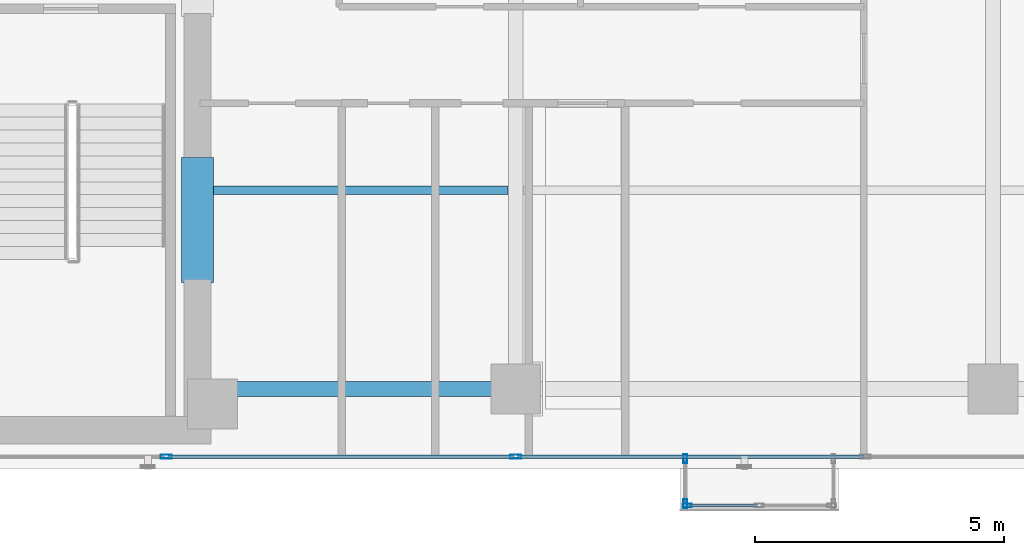
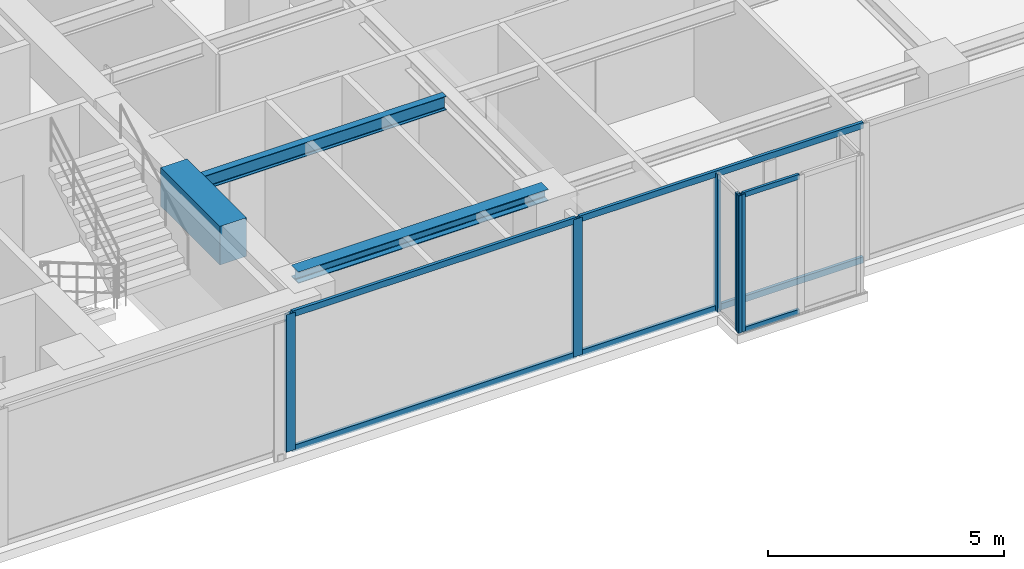
# One storey, part 4 of 25: 11 members, 3 beams, 3 elements without a shape of their own.
"""IFC4 building model written with IfcOpenShell, lengths in metres."""

from ifc_helpers import new_model, si_unit, direction, frame, origin, origin_with_axes, origin_2d, place, context, subcontext, project, spatial, rectangle, hollow_rectangle, i_section, extrude, source, transform, mapped, material, layer, layer_set, material_profile, profile_set, type_object, element, aggregate, save


model = new_model("IFC4")

# Units and contexts
model_context = context("Model", 3, precision=1e-05, world=origin(), true_north=direction((0.0, 1.0)))
body_context = subcontext(model_context, "Body", "Model", "MODEL_VIEW")
ifc_project = project(units=[si_unit("LENGTHUNIT", "METRE"), si_unit("AREAUNIT", "SQUARE_METRE"), si_unit("VOLUMEUNIT", "CUBIC_METRE"), si_unit("PLANEANGLEUNIT", "RADIAN"), si_unit("MASSUNIT", "GRAM", prefix="KILO")], contexts=[model_context])

# Site, building, storey
site_placement = place(None, origin())
site = spatial("IfcSite", under=ifc_project, at=site_placement, CompositionType="ELEMENT")
building_placement = place(site_placement, origin())
building = spatial("IfcBuilding", under=site, at=building_placement, Name="Kolvaren Waterfront Exchange", CompositionType="ELEMENT")
storey_placement = place(building_placement, frame((0.0, 0.0, 204.5)))
storey = spatial("IfcBuildingStorey", under=building, at=storey_placement, Name="L52", CompositionType="ELEMENT", Elevation=204.5)

# Beams
ifc_material_1 = material(Name="Steel S355", Category="steel")
ifc_material_profile_1 = material_profile(ifc_material_1, i_section(OverallWidth=0.300048828125, OverallDepth=0.300048828125, WebThickness=0.010986328125, FlangeThickness=0.01904296875, FilletRadius=0.027099609375, at=origin_2d()), Name="HEB300")
ifc_profile_set_1 = profile_set([ifc_material_profile_1], Name="Steel S355")
beam_type_1 = type_object("IfcBeamType", Name="STR-BM-HEB300", PredefinedType="SPANDREL", material=ifc_profile_set_1)
beam_1_placement = place(storey_placement, frame((21.074951171875, 5.199951171875, 3.409912109375), z_axis=(1.0, 0.0, 0.0), x_axis=(0.0, 1.0, 0.0)))
element("IfcBeam", 1, at=beam_1_placement, inside=storey, type_object=beam_type_1, Name="L52 east-arm spandrel S1", PredefinedType="SPANDREL", context=body_context, shape_type="SweptSolid", body=[
    extrude(i_section(OverallWidth=0.300048828125, OverallDepth=0.300048828125, WebThickness=0.010986328125, FlangeThickness=0.01904296875, FilletRadius=0.027099609375, at=origin_2d()), origin(), (0.0, 0.0, 1.0), 6.125),
])
ifc_material_profile_2 = material_profile(ifc_material_1, i_section(OverallWidth=0.169921875, OverallDepth=0.360107421875, WebThickness=0.008056640625, FlangeThickness=0.0126953125, FilletRadius=0.01806640625, at=origin_2d()), Name="IPE360")
ifc_profile_set_2 = profile_set([ifc_material_profile_2], Name="Steel S355")
beam_type_2 = type_object("IfcBeamType", Name="STR-BM-IPE360", PredefinedType="JOIST", material=ifc_profile_set_2)
beam_2_placement = place(storey_placement, frame((21.10009765625, 9.199951171875, 3.3798828125), z_axis=(1.0, 0.0, 0.0), x_axis=(0.0, 1.0, 0.0)))
element("IfcBeam", 2, at=beam_2_placement, inside=storey, type_object=beam_type_2, Name="L52 east-arm composite joist 1B", PredefinedType="JOIST", context=body_context, shape_type="SweptSolid", body=[
    extrude(i_section(OverallWidth=0.169921875, OverallDepth=0.360107421875, WebThickness=0.008056640625, FlangeThickness=0.0126953125, FilletRadius=0.01806640625, at=origin_2d()), origin(), (0.0, 0.0, 1.0), 5.947998046875),
])
ifc_material_2 = material(Name="Concrete C60/75", Category="concrete")
ifc_material_profile_3 = material_profile(ifc_material_2, rectangle(XDim=0.64990234375, YDim=1.0, at=origin_2d()), Name="RC-CB-1000x650")
ifc_profile_set_3 = profile_set([ifc_material_profile_3], Name="Concrete C60/75")
beam_type_3 = type_object("IfcBeamType", Name="STR-CB-1000", PredefinedType="SPANDREL", material=ifc_profile_set_3)
beam_3_placement = place(storey_placement, frame((20.800048828125, 7.340087890625, 3.06005859375), z_axis=(0.0, 1.0, 0.0), x_axis=(-1.0, 0.0, 0.0)))
element("IfcBeam", 3, at=beam_3_placement, inside=storey, type_object=beam_type_3, Name="L52 core coupling beam 1", PredefinedType="SPANDREL", context=body_context, shape_type="SweptSolid", body=[
    extrude(rectangle(XDim=0.64990234375, YDim=1.0, at=origin_2d()), origin(), (0.0, 0.0, 1.0), 2.52001953125),
])

# Curtain wall, members
ifc_material_3 = material(Name="Anodised bronze aluminium 6063-T6", Category="aluminium")
ifc_layer_1 = layer(ifc_material_3, 0.219970703125, Name="Anodised bronze aluminium 6063-T6")
ifc_layer_set_1 = layer_set([ifc_layer_1], Name="Anodised bronze aluminium 6063-T6")
curtain_wall_type_1 = type_object("IfcCurtainWallType", Name="ARC-CW-SYS3", PredefinedType="USERDEFINED", material=ifc_layer_set_1)
curtain_wall_1_placement = place(storey_placement, origin())
curtain_wall_1 = element("IfcCurtainWall", 4, at=curtain_wall_1_placement, inside=storey, type_object=curtain_wall_type_1, Name="L52 stick curtain wall CW3 (CW-L52-BOX)", ObjectType="STICK CURTAIN WALL", PredefinedType="USERDEFINED")
ifc_material_profile_4 = material_profile(ifc_material_3, hollow_rectangle(XDim=0.06494140625, YDim=0.1298828125, WallThickness=0.00390625, at=origin_2d()), Name="ALU-TRN-130x65x4")
ifc_profile_set_4 = profile_set([ifc_material_profile_4], Name="Anodised bronze aluminium 6063-T6")
member_type_1 = type_object("IfcMemberType", Name="ARC-CWT-130", PredefinedType="USERDEFINED", material=ifc_profile_set_4)
shared_shape_1 = source(origin_with_axes(), body_context, "Body", "SweptSolid", [
    extrude(hollow_rectangle(XDim=0.06494140625, YDim=0.1298828125, WallThickness=0.00390625, at=origin_2d()), origin(), (0.0, 0.0, 1.0), 1.37744140625),
])
member_1_placement = place(storey_placement, frame((30.68505859375, 2.860107421875, 0.032470703125), z_axis=(1.0, 0.0, 0.0), x_axis=(0.0, 1.0, 0.0)))
member_1 = element("IfcMember", 5, at=member_1_placement, type_object=member_type_1, Name="CW3 transom 1.1", ObjectType="TRANSOM", PredefinedType="USERDEFINED", context=body_context, shape_type="MappedRepresentation", body=[
    mapped(shared_shape_1, transform((0.0, 0.0, 0.0), x_axis=(1.0, 0.0, 0.0), y_axis=(0.0, 1.0, 0.0), z_axis=(0.0, 0.0, 1.0), scale=1.0)),
])
member_2_placement = place(storey_placement, frame((30.68505859375, 2.860107421875, 3.527587890625), z_axis=(1.0, 0.0, 0.0), x_axis=(0.0, 1.0, 0.0)))
member_2 = element("IfcMember", 6, at=member_2_placement, type_object=member_type_1, Name="CW3 transom 1.2", ObjectType="TRANSOM", PredefinedType="USERDEFINED", context=body_context, shape_type="MappedRepresentation", body=[
    mapped(shared_shape_1, transform((0.0, 0.0, 0.0), x_axis=(1.0, 0.0, 0.0), y_axis=(0.0, 1.0, 0.0), z_axis=(0.0, 0.0, 1.0), scale=1.0)),
])

curtain_wall_2_placement = place(storey_placement, origin())
curtain_wall_2 = element("IfcCurtainWall", 7, at=curtain_wall_2_placement, inside=storey, type_object=curtain_wall_type_1, Name="L52 stick curtain wall CW3 (CW-L52-BOX-W)", ObjectType="STICK CURTAIN WALL", PredefinedType="USERDEFINED")
ifc_material_profile_5 = material_profile(ifc_material_3, hollow_rectangle(XDim=0.074951171875, YDim=0.179931640625, WallThickness=0.00439453125, at=origin_2d()), Name="ALU-MUL-180x75x4.5")
ifc_profile_set_5 = profile_set([ifc_material_profile_5], Name="Anodised bronze aluminium 6063-T6")
member_type_2 = type_object("IfcMemberType", Name="ARC-CWM-180", PredefinedType="MULLION", material=ifc_profile_set_5)
shared_shape_2 = source(origin_with_axes(), body_context, "Body", "SweptSolid", [
    extrude(hollow_rectangle(XDim=0.074951171875, YDim=0.179931640625, WallThickness=0.00439453125, at=origin_2d()), origin(), (0.0, 0.0, 1.0), 3.56005859375),
])
member_3_placement = place(storey_placement, frame((30.610107421875, 3.802490234375, 0.0), z_axis=(0.0, 0.0, 1.0), x_axis=(1.0, 0.0, 0.0)))
member_3 = element("IfcMember", 8, at=member_3_placement, type_object=member_type_2, Name="CW3 mullion 1", PredefinedType="MULLION", context=body_context, shape_type="MappedRepresentation", body=[
    mapped(shared_shape_2, transform((0.0, 0.0, 0.0), x_axis=(1.0, 0.0, 0.0), y_axis=(0.0, 1.0, 0.0), z_axis=(0.0, 0.0, 1.0), scale=1.0)),
])
member_4_placement = place(storey_placement, frame((30.610107421875, 2.8974609375, 0.0), z_axis=(0.0, 0.0, 1.0), x_axis=(1.0, 0.0, 0.0)))
member_4 = element("IfcMember", 9, at=member_4_placement, type_object=member_type_2, Name="CW3 mullion 2", PredefinedType="MULLION", context=body_context, shape_type="MappedRepresentation", body=[
    mapped(shared_shape_2, transform((0.0, 0.0, 0.0), x_axis=(1.0, 0.0, 0.0), y_axis=(0.0, 1.0, 0.0), z_axis=(0.0, 0.0, 1.0), scale=1.0)),
])
aggregate(curtain_wall_2, [member_3, member_4])

# Member
member_5_placement = place(storey_placement, frame((30.6474609375, 2.860107421875, 0.0), z_axis=(0.0, 0.0, 1.0), x_axis=(0.0, 1.0, 0.0)))
member_5 = element("IfcMember", 10, at=member_5_placement, type_object=member_type_2, Name="CW3 mullion 1", PredefinedType="MULLION", context=body_context, shape_type="MappedRepresentation", body=[
    mapped(shared_shape_2, transform((0.0, 0.0, 0.0), x_axis=(1.0, 0.0, 0.0), y_axis=(0.0, 1.0, 0.0), z_axis=(0.0, 0.0, 1.0), scale=1.0)),
])

aggregate(curtain_wall_1, [member_5, member_1, member_2])

# Curtain wall, members
ifc_layer_2 = layer(ifc_material_3, 0.219970703125, Name="Anodised bronze aluminium 6063-T6")
ifc_layer_set_2 = layer_set([ifc_layer_2], Name="Anodised bronze aluminium 6063-T6")
curtain_wall_type_2 = type_object("IfcCurtainWallType", Name="ARC-CW-SYS1", PredefinedType="USERDEFINED", material=ifc_layer_set_2)
curtain_wall_3_placement = place(storey_placement, origin())
curtain_wall_3 = element("IfcCurtainWall", 11, at=curtain_wall_3_placement, inside=storey, type_object=curtain_wall_type_2, Name="L52 stick curtain wall CW1 (CW-L52-S)", ObjectType="STICK CURTAIN WALL", PredefinedType="USERDEFINED")
ifc_material_4 = material(Name="Anodised aluminium 6063-T6", Category="aluminium")
ifc_material_profile_6 = material_profile(ifc_material_4, hollow_rectangle(XDim=0.080078125, YDim=0.219970703125, WallThickness=0.0048828125, at=origin_2d()), Name="ALU-MUL-220x80x5")
ifc_profile_set_6 = profile_set([ifc_material_profile_6], Name="Anodised aluminium 6063-T6")
member_type_3 = type_object("IfcMemberType", Name="ARC-CWM-220", PredefinedType="MULLION", material=ifc_profile_set_6)
shared_shape_3 = source(origin_with_axes(), body_context, "Body", "SweptSolid", [
    extrude(hollow_rectangle(XDim=0.080078125, YDim=0.219970703125, WallThickness=0.0048828125, at=origin_2d()), origin(), (0.0, 0.0, 1.0), 3.56005859375),
])
member_6_placement = place(storey_placement, frame((20.166748046875, 3.840087890625, 0.0), z_axis=(0.0, 0.0, 1.0), x_axis=(0.0, 1.0, 0.0)))
member_6 = element("IfcMember", 12, at=member_6_placement, type_object=member_type_3, Name="CW1 mullion 3", PredefinedType="MULLION", context=body_context, shape_type="MappedRepresentation", body=[
    mapped(shared_shape_3, transform((0.0, 0.0, 0.0), x_axis=(1.0, 0.0, 0.0), y_axis=(0.0, 1.0, 0.0), z_axis=(0.0, 0.0, 1.0), scale=1.0)),
])
member_7_placement = place(storey_placement, frame((27.199951171875, 3.840087890625, 0.0), z_axis=(0.0, 0.0, 1.0), x_axis=(0.0, 1.0, 0.0)))
member_7 = element("IfcMember", 13, at=member_7_placement, type_object=member_type_3, Name="CW1 mullion 4", PredefinedType="MULLION", context=body_context, shape_type="MappedRepresentation", body=[
    mapped(shared_shape_3, transform((0.0, 0.0, 0.0), x_axis=(1.0, 0.0, 0.0), y_axis=(0.0, 1.0, 0.0), z_axis=(0.0, 0.0, 1.0), scale=1.0)),
])
ifc_material_profile_7 = material_profile(ifc_material_4, hollow_rectangle(XDim=0.074951171875, YDim=0.159912109375, WallThickness=0.00439453125, at=origin_2d()), Name="ALU-TRN-160x75x4.5")
ifc_profile_set_7 = profile_set([ifc_material_profile_7], Name="Anodised aluminium 6063-T6")
member_type_4 = type_object("IfcMemberType", Name="ARC-CWT-160", PredefinedType="USERDEFINED", material=ifc_profile_set_7)
shared_shape_4 = source(origin_with_axes(), body_context, "Body", "SweptSolid", [
    extrude(hollow_rectangle(XDim=0.074951171875, YDim=0.159912109375, WallThickness=0.00439453125, at=origin_2d()), origin(), (0.0, 0.0, 1.0), 6.953369140625),
])
member_8_placement = place(storey_placement, frame((27.239990234375, 3.840087890625, 0.03759765625), z_axis=(1.0, 0.0, 0.0), x_axis=(0.0, 1.0, 0.0)))
member_8 = element("IfcMember", 14, at=member_8_placement, type_object=member_type_4, Name="CW1 transom 4.1", ObjectType="TRANSOM", PredefinedType="USERDEFINED", context=body_context, shape_type="MappedRepresentation", body=[
    mapped(shared_shape_4, transform((0.0, 0.0, 0.0), x_axis=(1.0, 0.0, 0.0), y_axis=(0.0, 1.0, 0.0), z_axis=(0.0, 0.0, 1.0), scale=1.0)),
])
member_9_placement = place(storey_placement, frame((27.239990234375, 3.840087890625, 3.5224609375), z_axis=(1.0, 0.0, 0.0), x_axis=(0.0, 1.0, 0.0)))
member_9 = element("IfcMember", 15, at=member_9_placement, type_object=member_type_4, Name="CW1 transom 4.2", ObjectType="TRANSOM", PredefinedType="USERDEFINED", context=body_context, shape_type="MappedRepresentation", body=[
    mapped(shared_shape_4, transform((0.0, 0.0, 0.0), x_axis=(1.0, 0.0, 0.0), y_axis=(0.0, 1.0, 0.0), z_axis=(0.0, 0.0, 1.0), scale=1.0)),
])
shared_shape_5 = source(origin_with_axes(), body_context, "Body", "SweptSolid", [
    extrude(hollow_rectangle(XDim=0.074951171875, YDim=0.159912109375, WallThickness=0.00439453125, at=origin_2d()), origin(), (0.0, 0.0, 1.0), 6.953125),
])
member_10_placement = place(storey_placement, frame((20.206787109375, 3.840087890625, 0.03759765625), z_axis=(1.0, 0.0, 0.0), x_axis=(0.0, 1.0, 0.0)))
member_10 = element("IfcMember", 16, at=member_10_placement, type_object=member_type_4, Name="CW1 transom 3.1", ObjectType="TRANSOM", PredefinedType="USERDEFINED", context=body_context, shape_type="MappedRepresentation", body=[
    mapped(shared_shape_5, transform((0.0, 0.0, 0.0), x_axis=(1.0, 0.0, 0.0), y_axis=(0.0, 1.0, 0.0), z_axis=(0.0, 0.0, 1.0), scale=1.0)),
])
member_11_placement = place(storey_placement, frame((20.206787109375, 3.840087890625, 3.5224609375), z_axis=(1.0, 0.0, 0.0), x_axis=(0.0, 1.0, 0.0)))
member_11 = element("IfcMember", 17, at=member_11_placement, type_object=member_type_4, Name="CW1 transom 3.2", ObjectType="TRANSOM", PredefinedType="USERDEFINED", context=body_context, shape_type="MappedRepresentation", body=[
    mapped(shared_shape_5, transform((0.0, 0.0, 0.0), x_axis=(1.0, 0.0, 0.0), y_axis=(0.0, 1.0, 0.0), z_axis=(0.0, 0.0, 1.0), scale=1.0)),
])
aggregate(curtain_wall_3, [member_6, member_7, member_10, member_11, member_8, member_9])

save(model, "model.ifc")
